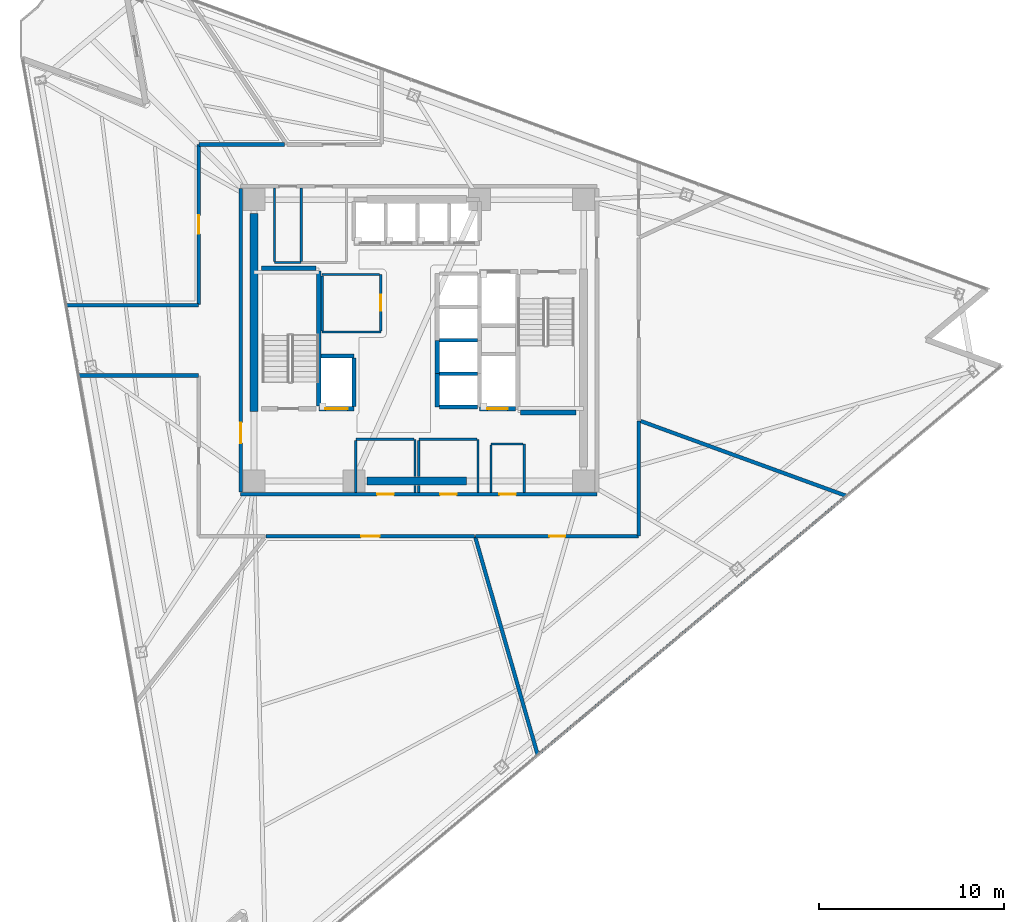
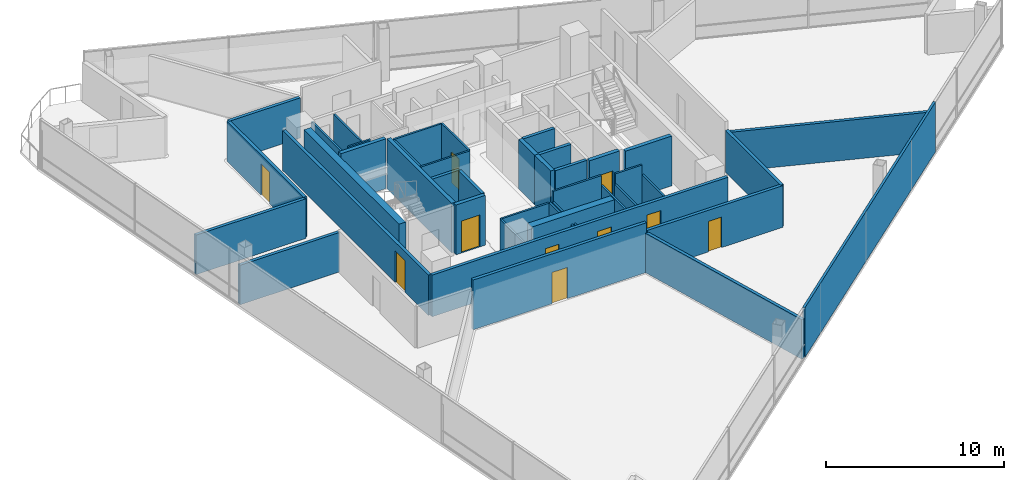
# One storey, part 10 of 16: 44 walls, 10 doors, 10 openings.
"""IFC4 building model written with IfcOpenShell, lengths in metres."""

import ifcopenshell
import ifcopenshell.guid

model = None  # the IFC model being written
_history = None  # IfcOwnerHistory: only IFC2X3 demands one
_inside = {}  # id of a spatial element -> (the spatial element, [elements in it])
_under = {}  # id of a project, library or spatial element -> (it, [spatial elements below it])
_declared = {}  # id of a project -> (the project, [libraries it declares])
_typed = {}  # id of a type object -> (the type object, [elements of that type])
_made_of = {}  # id of a material, layer set ... -> (it, [elements and type objects made of it])


def new_model(schema):
    """Start an empty IFC model of exactly this schema.

    Asked for "IFC4X3", IfcOpenShell would pick the latest addendum, in which some entities
    have other attributes; the version numbers below select the first issue.
    IFC2X3 requires an IfcOwnerHistory on every rooted entity: one is made here for all.
    """
    global model, _history
    if schema == "IFC4X3":
        model = ifcopenshell.file(schema_version=(4, 3, 0, 0))
    else:
        model = ifcopenshell.file(schema=schema)
    _inside.clear()
    _under.clear()
    _declared.clear()
    _typed.clear()
    _made_of.clear()
    _history = None
    if model.schema == "IFC2X3":
        org = make("IfcOrganization", Name="unknown")
        user = make(
            "IfcPersonAndOrganization",
            ThePerson=make("IfcPerson", FamilyName="unknown"),
            TheOrganization=org,
        )
        app = make(
            "IfcApplication",
            ApplicationDeveloper=org,
            Version="unknown",
            ApplicationFullName="unknown",
            ApplicationIdentifier="unknown",
        )
        _history = make(
            "IfcOwnerHistory",
            OwningUser=user,
            OwningApplication=app,
            ChangeAction="ADDED",
            CreationDate=0,
        )
    return model


def make(cls, **values):
    """One entity of the class cls with the attributes given. An attribute that is None is left unset."""
    return model.create_entity(
        cls, **{name: value for name, value in values.items() if value is not None}
    )


def rooted(cls, **values):
    """An entity with a GlobalId (a new one), such as an element, a storey or a relation."""
    return make(cls, GlobalId=ifcopenshell.guid.new(), OwnerHistory=_history, **values)


def si_unit(unit_type, name, prefix=None):
    """IfcSIUnit, for example si_unit("LENGTHUNIT", "METRE", prefix="MILLI")."""
    return make("IfcSIUnit", UnitType=unit_type, Prefix=prefix, Name=name)


def assignment(units):
    """IfcUnitAssignment: the units of a project."""
    return None if units is None else make("IfcUnitAssignment", Units=units)


def point(xyz):
    """IfcCartesianPoint."""
    return None if xyz is None else make("IfcCartesianPoint", Coordinates=xyz)


def direction(xyz):
    """IfcDirection."""
    return None if xyz is None else make("IfcDirection", DirectionRatios=xyz)


def frame(location, z_axis=None, x_axis=None):
    """IfcAxis2Placement3D, a coordinate frame: its origin and axes. An axis left out is left unset."""
    return make(
        "IfcAxis2Placement3D",
        Location=point(location),
        Axis=direction(z_axis),
        RefDirection=direction(x_axis),
    )


def frame_2d(location, x_axis=None):
    """IfcAxis2Placement2D, a coordinate frame in the plane: its origin and x axis."""
    return make(
        "IfcAxis2Placement2D", Location=point(location), RefDirection=direction(x_axis)
    )


def origin():
    """The frame at (0, 0, 0) with its axes left unset."""
    return frame((0.0, 0.0, 0.0))


def place(relative_to, where):
    """IfcLocalPlacement: puts the frame where relative to a parent placement (None: the world)."""
    return make(
        "IfcLocalPlacement", PlacementRelTo=relative_to, RelativePlacement=where
    )


def context(
    kind, dimensions, precision=None, world=None, true_north=None, identifier=None
):
    """IfcGeometricRepresentationContext, for example the 3D "Model" context."""
    return make(
        "IfcGeometricRepresentationContext",
        ContextIdentifier=identifier,
        ContextType=kind,
        CoordinateSpaceDimension=dimensions,
        Precision=precision,
        WorldCoordinateSystem=world,
        TrueNorth=true_north,
    )


def subcontext(parent, identifier, kind, view, scale=None):
    """IfcGeometricRepresentationSubContext, for example "Body" below "Model"."""
    return make(
        "IfcGeometricRepresentationSubContext",
        ContextIdentifier=identifier,
        ContextType=kind,
        ParentContext=parent,
        TargetScale=scale,
        TargetView=view,
    )


def project(units=None, contexts=None):
    """IfcProject with its units and contexts."""
    return rooted(
        "IfcProject",
        Name="project",
        RepresentationContexts=contexts,
        UnitsInContext=assignment(units),
    )


def spatial(cls, under=None, at=None, **own):
    """A site, building, storey or space (cls), placed at a placement, below another one or the project."""
    s = rooted(cls, ObjectPlacement=at, **own)
    if under is not None:
        _under.setdefault(under.id(), (under, []))[1].append(s)
    return s


def profile(cls, at=None, kind="AREA", **sizes):
    """A parametric profile (cls). Its sizes go by their IFC names, for example OverallWidth=200.0."""
    return make(cls, ProfileType=kind, Position=at, **sizes)


def rectangle(**sizes):
    """IfcRectangleProfileDef."""
    return profile("IfcRectangleProfileDef", **sizes)


def extrude(swept, where, along, depth):
    """IfcExtrudedAreaSolid: the profile swept, set in the frame where, extruded along a direction by depth."""
    return make(
        "IfcExtrudedAreaSolid",
        SweptArea=swept,
        Position=where,
        ExtrudedDirection=direction(along),
        Depth=depth,
    )


def shape(context_of_items, identifier, shape_type, items):
    """IfcShapeRepresentation: the items that make up one representation, for example the "Body"."""
    return make(
        "IfcShapeRepresentation",
        ContextOfItems=context_of_items,
        RepresentationIdentifier=identifier,
        RepresentationType=shape_type,
        Items=items,
    )


def material(Name=None, Category=None):
    """IfcMaterial."""
    return make("IfcMaterial", Name=Name, Category=Category)


def layer(
    of_material, thickness, ventilated=None, Name=None, Category=None, Priority=None
):
    """IfcMaterialLayer: one layer of a wall or slab, of a material (None: an air gap)."""
    return make(
        "IfcMaterialLayer",
        Material=of_material,
        LayerThickness=thickness,
        IsVentilated=ventilated,
        Name=Name,
        Category=Category,
        Priority=Priority,
    )


def layer_set(layers, Name=None):
    """IfcMaterialLayerSet."""
    return make("IfcMaterialLayerSet", MaterialLayers=layers, LayerSetName=Name)


def made_of(thing, what):
    """Note that an element or type object is made of a material, layer set ...; save() writes the relation."""
    if what is not None:
        _made_of.setdefault(what.id(), (what, []))[1].append(thing)
    return thing


def type_object(cls, material=None, **own):
    """A type object (cls), such as IfcWallType, which elements share."""
    return made_of(rooted(cls, **own), material)


def element(
    cls,
    number,
    at=None,
    inside=None,
    cuts=None,
    type_object=None,
    material=None,
    context=None,
    identifier="Body",
    shape_type=None,
    held_by="IfcProductDefinitionShape",
    body=None,
    shapes=None,
    **own,
):
    """One element of the class cls, such as IfcWall. Its Tag is "e" and its number.

    at: its placement. inside: the storey or other place that contains it. cuts: it is an
    opening in that element (IfcRelVoidsElement). A single representation is given by context,
    identifier, shape_type and body (its items); several are given by shapes. held_by: the class
    of the entity that holds the representations. save() writes the other relations.
    """
    e = rooted(cls, Tag="e%d" % number, ObjectPlacement=at, **own)
    if body is not None:
        shapes = [shape(context, identifier, shape_type, body)]
    if shapes is not None:
        e.Representation = make(held_by, Representations=shapes)
    if inside is not None:
        _inside.setdefault(inside.id(), (inside, []))[1].append(e)
    if cuts is not None:
        rooted(
            "IfcRelVoidsElement", RelatingBuildingElement=cuts, RelatedOpeningElement=e
        )
    if type_object is not None:
        _typed.setdefault(type_object.id(), (type_object, []))[1].append(e)
    return made_of(e, material)


def fill(opening, filler):
    """IfcRelFillsElement: the door or window that sits in an opening."""
    return rooted(
        "IfcRelFillsElement",
        RelatingOpeningElement=opening,
        RelatedBuildingElement=filler,
    )


def aggregate(whole, parts):
    """IfcRelAggregates: a whole, such as a stair, and the parts it consists of."""
    return rooted("IfcRelAggregates", RelatingObject=whole, RelatedObjects=parts)


def save(model, path):
    """Write the relations noted so far, then the file.

    IfcRelAggregates (storeys below a building ...), IfcRelContainedInSpatialStructure (elements
    in a storey), IfcRelDefinesByType, IfcRelAssociatesMaterial and IfcRelDeclares: one each for
    every whole, place, type object, material and project.
    """
    for whole, parts in _under.values():
        aggregate(whole, parts)
    for where, things in _inside.values():
        rooted(
            "IfcRelContainedInSpatialStructure",
            RelatedElements=things,
            RelatingStructure=where,
        )
    for kind, things in _typed.values():
        rooted("IfcRelDefinesByType", RelatedObjects=things, RelatingType=kind)
    for what, things in _made_of.values():
        rooted("IfcRelAssociatesMaterial", RelatedObjects=things, RelatingMaterial=what)
    for by, libraries in _declared.values():
        rooted("IfcRelDeclares", RelatingContext=by, RelatedDefinitions=libraries)
    model.write(path)


model = new_model("IFC4")

# Units and contexts
model_context = context("Model", 3, precision=1e-05, world=origin(), true_north=direction((0.0, 1.0)))
body_context = subcontext(model_context, "Body", "Model", "MODEL_VIEW")
ifc_project = project(units=[si_unit("LENGTHUNIT", "METRE"), si_unit("AREAUNIT", "SQUARE_METRE"), si_unit("VOLUMEUNIT", "CUBIC_METRE"), si_unit("PLANEANGLEUNIT", "RADIAN"), si_unit("MASSUNIT", "GRAM", prefix="KILO")], contexts=[model_context])

# Site, building, storey
site_placement = place(None, origin())
site = spatial("IfcSite", under=ifc_project, at=site_placement, CompositionType="ELEMENT")
building_placement = place(site_placement, origin())
building = spatial("IfcBuilding", under=site, at=building_placement, Name="Tharavind Bronze Gate", CompositionType="ELEMENT")
storey_placement = place(building_placement, frame((0.0, 0.0, 188.5)))
storey = spatial("IfcBuildingStorey", under=building, at=storey_placement, Name="L48", CompositionType="ELEMENT", Elevation=188.5)

# Wall, openings, doors
ifc_material_1 = material(Name="Aerated Concrete Block", Category="concrete")
ifc_layer_1 = layer(ifc_material_1, 0.199951171875)
ifc_layer_set_1 = layer_set([ifc_layer_1], Name="Aerated Concrete Block")
wall_type_1 = type_object("IfcWallType", Name="FIRE RATED PARTITION 200", PredefinedType="PARTITIONING", material=ifc_layer_set_1)
wall_1_placement = place(storey_placement, frame((-9.6201171875, -8.320068359375, 0.0), z_axis=(0.0, 0.0, 1.0), x_axis=(1.0, 0.0, 0.0)))
wall_1 = element("IfcWall", 1, at=wall_1_placement, inside=storey, type_object=wall_type_1, Name="L48 south core corridor wall", PredefinedType="PARTITIONING", context=body_context, shape_type="SweptSolid", body=[
    extrude(rectangle(XDim=19.240234375, YDim=0.199951171875, at=frame_2d((9.6201171875, 0.0))), origin(), (0.0, 0.0, 1.0), 2.864990234375),
])
opening_1_placement = place(wall_1_placement, frame((7.3701171875, 0.0, 0.0)))
opening_1 = element("IfcOpeningElement", 2, at=opening_1_placement, cuts=wall_1, Name="Opening ID07", PredefinedType="OPENING", context=body_context, shape_type="SweptSolid", body=[
    extrude(rectangle(XDim=0.89990234375, YDim=2.10009765625, at=frame_2d((0.449951171875, 1.050048828125))), frame((0.0, 0.11009765625, 0.0), z_axis=(0.0, -1.0, 0.0), x_axis=(1.0, 0.0, 0.0)), (0.0, 0.0, 1.0), 0.219951171875),
])
opening_2_placement = place(wall_1_placement, frame((10.77001953125, 0.0, 0.0)))
opening_2 = element("IfcOpeningElement", 3, at=opening_2_placement, cuts=wall_1, Name="Opening ID07", PredefinedType="OPENING", context=body_context, shape_type="SweptSolid", body=[
    extrude(rectangle(XDim=0.89990234375, YDim=2.10009765625, at=frame_2d((0.449951171875, 1.050048828125))), frame((0.0, 0.11009765625, 0.0), z_axis=(0.0, -1.0, 0.0), x_axis=(1.0, 0.0, 0.0)), (0.0, 0.0, 1.0), 0.219951171875),
])
opening_3_placement = place(wall_1_placement, frame((13.969970703125, 0.0, 0.0)))
opening_3 = element("IfcOpeningElement", 4, at=opening_3_placement, cuts=wall_1, Name="Opening ID07", PredefinedType="OPENING", context=body_context, shape_type="SweptSolid", body=[
    extrude(rectangle(XDim=0.89990234375, YDim=2.10009765625, at=frame_2d((0.449951171875, 1.050048828125))), frame((0.0, 0.11009765625, 0.0), z_axis=(0.0, -1.0, 0.0), x_axis=(1.0, 0.0, 0.0)), (0.0, 0.0, 1.0), 0.219951171875),
])
ifc_material_2 = material(Name="Galvanised Fire Steel", Category="steel")
door_type_1 = type_object("IfcDoorType", Name="PLANT AND RISER FIRE DOOR 900X2100", OperationType="SINGLE_SWING_LEFT", PredefinedType="DOOR", material=ifc_material_2)
door_1_placement = place(opening_1_placement, frame((0.89990234375, 0.0, 0.0), z_axis=(0.0, 0.0, 1.0), x_axis=(-1.0, 0.0, 0.0)))
door_1 = element("IfcDoor", 5, at=door_1_placement, inside=storey, type_object=door_type_1, Name="L48 Core Archive Store fire door", OperationType="SINGLE_SWING_LEFT", OverallHeight=2.10009765625, OverallWidth=0.89990234375, PredefinedType="DOOR", context=body_context, shape_type="SweptSolid", body=[
    extrude(rectangle(XDim=0.89990234375, YDim=2.10009765625, at=frame_2d((0.449951171875, 1.050048828125))), frame((0.0, 0.02490234375, 0.0), z_axis=(0.0, -1.0, 0.0), x_axis=(1.0, 0.0, 0.0)), (0.0, 0.0, 1.0), 0.050048828125),
])
fill(opening_1, door_1)
door_2_placement = place(opening_2_placement, frame((0.89990234375, 0.0, 0.0), z_axis=(0.0, 0.0, 1.0), x_axis=(-1.0, 0.0, 0.0)))
door_2 = element("IfcDoor", 6, at=door_2_placement, inside=storey, type_object=door_type_1, Name="L48 Core Server Room fire door", OperationType="SINGLE_SWING_LEFT", OverallHeight=2.10009765625, OverallWidth=0.89990234375, PredefinedType="DOOR", context=body_context, shape_type="SweptSolid", body=[
    extrude(rectangle(XDim=0.89990234375, YDim=2.10009765625, at=frame_2d((0.449951171875, 1.050048828125))), frame((0.0, 0.02490234375, 0.0), z_axis=(0.0, -1.0, 0.0), x_axis=(1.0, 0.0, 0.0)), (0.0, 0.0, 1.0), 0.050048828125),
])
fill(opening_2, door_2)
door_3_placement = place(opening_3_placement, frame((0.89990234375, 0.0, 0.0), z_axis=(0.0, 0.0, 1.0), x_axis=(-1.0, 0.0, 0.0)))
door_3 = element("IfcDoor", 7, at=door_3_placement, inside=storey, type_object=door_type_1, Name="L48 Janitor Store Cupboard fire door", OperationType="SINGLE_SWING_LEFT", OverallHeight=2.10009765625, OverallWidth=0.89990234375, PredefinedType="DOOR", context=body_context, shape_type="SweptSolid", body=[
    extrude(rectangle(XDim=0.89990234375, YDim=2.10009765625, at=frame_2d((0.449951171875, 1.050048828125))), frame((0.0, 0.02490234375, 0.0), z_axis=(0.0, -1.0, 0.0), x_axis=(1.0, 0.0, 0.0)), (0.0, 0.0, 1.0), 0.050048828125),
])
fill(opening_3, door_3)

# Wall, opening, door
wall_2_placement = place(storey_placement, frame((-9.6201171875, 8.199951171875, 0.0), z_axis=(0.0, 0.0, 1.0), x_axis=(0.0, -1.0, 0.0)))
wall_2 = element("IfcWall", 8, at=wall_2_placement, inside=storey, type_object=wall_type_1, Name="L48 west core corridor wall", PredefinedType="PARTITIONING", context=body_context, shape_type="SweptSolid", body=[
    extrude(rectangle(XDim=16.39990234375, YDim=0.199951171875, at=frame_2d((8.199951171875, 0.0))), origin(), (0.0, 0.0, 1.0), 2.764892578125),
])
opening_4_placement = place(wall_2_placement, frame((12.64990234375, 0.0, 0.0)))
opening_4 = element("IfcOpeningElement", 9, at=opening_4_placement, cuts=wall_2, Name="Opening ID01", PredefinedType="OPENING", context=body_context, shape_type="SweptSolid", body=[
    extrude(rectangle(XDim=1.10009765625, YDim=2.14990234375, at=frame_2d((0.550048828125, 1.074951171875))), frame((0.0, 0.11009765625, 0.0), z_axis=(0.0, -1.0, 0.0), x_axis=(1.0, 0.0, 0.0)), (0.0, 0.0, 1.0), 0.219951171875),
])
ifc_material_3 = material(Name="Fire-Rated Steel", Category="steel")
door_type_2 = type_object("IfcDoorType", Name="STAIR CORE FIRE DOOR 1100X2150", OperationType="SINGLE_SWING_LEFT", PredefinedType="DOOR", material=ifc_material_3)
door_4_placement = place(opening_4_placement, frame((1.10009765625, 0.0, 0.0), z_axis=(0.0, 0.0, 1.0), x_axis=(-1.0, 0.0, 0.0)))
door_4 = element("IfcDoor", 10, at=door_4_placement, inside=storey, type_object=door_type_2, Name="L48 south west stair lobby fire door", OperationType="SINGLE_SWING_LEFT", OverallHeight=2.14990234375, OverallWidth=1.10009765625, PredefinedType="DOOR", context=body_context, shape_type="SweptSolid", body=[
    extrude(rectangle(XDim=1.10009765625, YDim=2.14990234375, at=frame_2d((0.550048828125, 1.074951171875))), frame((0.0, 0.02490234375, 0.0), z_axis=(0.0, -1.0, 0.0), x_axis=(1.0, 0.0, 0.0)), (0.0, 0.0, 1.0), 0.050048828125),
])
fill(opening_4, door_4)

# Walls
wall_3_placement = place(storey_placement, frame((-18.3828125, -1.89990234375, 0.0), z_axis=(0.0, 0.0, 1.0), x_axis=(1.0, 0.0, 0.0)))
element("IfcWall", 11, at=wall_3_placement, inside=storey, type_object=wall_type_1, Name="L48 Public Restrooms Block partition", PredefinedType="PARTITIONING", context=body_context, shape_type="SweptSolid", body=[
    extrude(rectangle(XDim=6.477783203125, YDim=0.199951171875, at=frame_2d((3.23876953125, 0.0))), origin(), (0.0, 0.0, 1.0), 2.715087890625),
])
wall_4_placement = place(storey_placement, frame((6.419677734375, -22.388427734375, 0.0), z_axis=(0.0, 0.0, 1.0), x_axis=(-0.275623781544, 0.961265588195, 0.0)))
element("IfcWall", 12, at=wall_4_placement, inside=storey, type_object=wall_type_1, Name="L48 Public Restrooms Block partition", PredefinedType="PARTITIONING", context=body_context, shape_type="SweptSolid", body=[
    extrude(rectangle(XDim=12.251220703125, YDim=0.199951171875, at=frame_2d((6.12548828125, 0.0))), origin(), (0.0, 0.0, 1.0), 2.715087890625),
])

# Wall, opening, door
wall_5_placement = place(storey_placement, frame((3.06689453125, -10.580078125, 0.0), z_axis=(0.0, 0.0, 1.0), x_axis=(1.0, 0.0, 0.0)))
wall_5 = element("IfcWall", 13, at=wall_5_placement, inside=storey, type_object=wall_type_1, Name="L48 Public Restrooms Block partition", PredefinedType="PARTITIONING", context=body_context, shape_type="SweptSolid", body=[
    extrude(rectangle(XDim=8.8125, YDim=0.199951171875, at=frame_2d((4.40625, 0.0))), origin(), (0.0, 0.0, 1.0), 2.864990234375),
])
opening_5_placement = place(wall_5_placement, frame((3.98095703125, 0.0, 0.0)))
opening_5 = element("IfcOpeningElement", 14, at=opening_5_placement, cuts=wall_5, Name="Opening ID06", PredefinedType="OPENING", context=body_context, shape_type="SweptSolid", body=[
    extrude(rectangle(XDim=0.85009765625, YDim=2.10009765625, at=frame_2d((0.425048828125, 1.050048828125))), frame((0.0, 0.11009765625, 0.0), z_axis=(0.0, -1.0, 0.0), x_axis=(1.0, 0.0, 0.0)), (0.0, 0.0, 1.0), 0.219951171875),
])
ifc_material_4 = material(Name="Moisture-Resistant Timber", Category="wood")
door_type_3 = type_object("IfcDoorType", Name="BATHROOM PRIVACY DOOR 850X2100", OperationType="SINGLE_SWING_RIGHT", PredefinedType="DOOR", material=ifc_material_4)
door_5_placement = place(opening_5_placement, origin())
door_5 = element("IfcDoor", 15, at=door_5_placement, inside=storey, type_object=door_type_3, Name="L48 Public Restrooms Block door", OperationType="SINGLE_SWING_RIGHT", OverallHeight=2.10009765625, OverallWidth=0.85009765625, PredefinedType="DOOR", context=body_context, shape_type="SweptSolid", body=[
    extrude(rectangle(XDim=0.85009765625, YDim=2.10009765625, at=frame_2d((0.425048828125, 1.050048828125))), frame((0.0, 0.02490234375, 0.0), z_axis=(0.0, -1.0, 0.0), x_axis=(1.0, 0.0, 0.0)), (0.0, 0.0, 1.0), 0.050048828125),
])
fill(opening_5, door_5)

# Walls
wall_6_placement = place(storey_placement, frame((11.8798828125, -10.579345703125, 0.0), z_axis=(0.0, 0.0, 1.0), x_axis=(0.0, 1.0, 0.0)))
element("IfcWall", 16, at=wall_6_placement, inside=storey, type_object=wall_type_1, Name="L48 Public Restrooms Block partition", PredefinedType="PARTITIONING", context=body_context, shape_type="SweptSolid", body=[
    extrude(rectangle(XDim=6.2197265625, YDim=0.199951171875, at=frame_2d((3.10986328125, 0.0))), origin(), (0.0, 0.0, 1.0), 2.864990234375),
])
wall_7_placement = place(storey_placement, frame((11.985107421875, -4.3623046875, 0.0), z_axis=(0.0, 0.0, 1.0), x_axis=(0.939698056563, -0.34200520828, 0.0)))
element("IfcWall", 17, at=wall_7_placement, inside=storey, type_object=wall_type_1, Name="L48 Public Restrooms Block partition", PredefinedType="PARTITIONING", context=body_context, shape_type="SweptSolid", body=[
    extrude(rectangle(XDim=11.814208984375, YDim=0.199951171875, at=frame_2d((5.9072265625, 0.0))), origin(), (0.0, 0.0, 1.0), 2.715087890625),
])
wall_8_placement = place(storey_placement, frame((-7.262939453125, 10.580078125, 0.0), z_axis=(0.0, 0.0, 1.0), x_axis=(-1.0, 0.0, 0.0)))
element("IfcWall", 18, at=wall_8_placement, inside=storey, type_object=wall_type_1, Name="L48 Security Operations Office partition", PredefinedType="PARTITIONING", context=body_context, shape_type="SweptSolid", body=[
    extrude(rectangle(XDim=4.616455078125, YDim=0.199951171875, at=frame_2d((2.30810546875, 0.0))), origin(), (0.0, 0.0, 1.0), 2.764892578125),
])

# Wall, opening, door
wall_9_placement = place(storey_placement, frame((-11.8798828125, 10.579345703125, 0.0), z_axis=(0.0, 0.0, 1.0), x_axis=(0.0, -1.0, 0.0)))
wall_9 = element("IfcWall", 19, at=wall_9_placement, inside=storey, type_object=wall_type_1, Name="L48 Security Operations Office partition", PredefinedType="PARTITIONING", context=body_context, shape_type="SweptSolid", body=[
    extrude(rectangle(XDim=8.654296875, YDim=0.199951171875, at=frame_2d((4.3271484375, 0.0))), origin(), (0.0, 0.0, 1.0), 2.764892578125),
])
opening_6_placement = place(wall_9_placement, frame((3.826904296875, 0.0, 0.0)))
opening_6 = element("IfcOpeningElement", 20, at=opening_6_placement, cuts=wall_9, Name="Opening ID04", PredefinedType="OPENING", context=body_context, shape_type="SweptSolid", body=[
    extrude(rectangle(XDim=1.0, YDim=2.14990234375, at=frame_2d((0.5, 1.074951171875))), frame((0.0, 0.11009765625, 0.0), z_axis=(0.0, -1.0, 0.0), x_axis=(1.0, 0.0, 0.0)), (0.0, 0.0, 1.0), 0.219951171875),
])
ifc_material_5 = material(Name="Bronze Framed Acoustic Timber", Category="wood")
door_type_4 = type_object("IfcDoorType", Name="OFFICE TENANCY DOOR 1000X2150", OperationType="SINGLE_SWING_RIGHT", PredefinedType="DOOR", material=ifc_material_5)
door_6_placement = place(opening_6_placement, origin())
door_6 = element("IfcDoor", 21, at=door_6_placement, inside=storey, type_object=door_type_4, Name="L48 Security Operations Office door", OperationType="SINGLE_SWING_RIGHT", OverallHeight=2.14990234375, OverallWidth=1.0, PredefinedType="DOOR", context=body_context, shape_type="SweptSolid", body=[
    extrude(rectangle(XDim=1.0, YDim=2.14990234375, at=frame_2d((0.5, 1.074951171875))), frame((0.0, 0.02490234375, 0.0), z_axis=(0.0, -1.0, 0.0), x_axis=(1.0, 0.0, 0.0)), (0.0, 0.0, 1.0), 0.050048828125),
])
fill(opening_6, door_6)

# Wall
wall_10_placement = place(storey_placement, frame((-11.905029296875, 1.89990234375, 0.0), z_axis=(0.0, 0.0, 1.0), x_axis=(-1.0, 0.0, 0.0)))
element("IfcWall", 22, at=wall_10_placement, inside=storey, type_object=wall_type_1, Name="L48 Security Operations Office partition", PredefinedType="PARTITIONING", context=body_context, shape_type="SweptSolid", body=[
    extrude(rectangle(XDim=7.14794921875, YDim=0.199951171875, at=frame_2d((3.573974609375, 0.0))), origin(), (0.0, 0.0, 1.0), 2.715087890625),
])

# Wall, opening, door
wall_11_placement = place(storey_placement, frame((-8.25390625, -10.580078125, 0.0), z_axis=(0.0, 0.0, 1.0), x_axis=(1.0, 0.0, 0.0)))
wall_11 = element("IfcWall", 23, at=wall_11_placement, inside=storey, type_object=wall_type_1, Name="L48 Platform Open Office partition", PredefinedType="PARTITIONING", context=body_context, shape_type="SweptSolid", body=[
    extrude(rectangle(XDim=11.268798828125, YDim=0.199951171875, at=frame_2d((5.63427734375, 0.0))), origin(), (0.0, 0.0, 1.0), 3.419921875),
])
opening_7_placement = place(wall_11_placement, frame((5.134033203125, 0.0, 0.0)))
opening_7 = element("IfcOpeningElement", 24, at=opening_7_placement, cuts=wall_11, Name="Opening ID04", PredefinedType="OPENING", context=body_context, shape_type="SweptSolid", body=[
    extrude(rectangle(XDim=1.0, YDim=2.14990234375, at=frame_2d((0.5, 1.074951171875))), frame((0.0, 0.11009765625, 0.0), z_axis=(0.0, -1.0, 0.0), x_axis=(1.0, 0.0, 0.0)), (0.0, 0.0, 1.0), 0.219951171875),
])
door_7_placement = place(opening_7_placement, origin())
door_7 = element("IfcDoor", 25, at=door_7_placement, inside=storey, type_object=door_type_4, Name="L48 Platform Open Office door", OperationType="SINGLE_SWING_RIGHT", OverallHeight=2.14990234375, OverallWidth=1.0, PredefinedType="DOOR", context=body_context, shape_type="SweptSolid", body=[
    extrude(rectangle(XDim=1.0, YDim=2.14990234375, at=frame_2d((0.5, 1.074951171875))), frame((0.0, 0.02490234375, 0.0), z_axis=(0.0, -1.0, 0.0), x_axis=(1.0, 0.0, 0.0)), (0.0, 0.0, 1.0), 0.050048828125),
])
fill(opening_7, door_7)

# Wall
ifc_material_6 = material(Name="Metal Stud Gypsum Partition", Category="gypsum")
ifc_layer_2 = layer(ifc_material_6, 0.1201171875)
ifc_layer_set_2 = layer_set([ifc_layer_2], Name="Metal Stud Gypsum Partition")
wall_type_2 = type_object("IfcWallType", Name="INTERIOR PARTITION WALL 120", PredefinedType="PARTITIONING", material=ifc_layer_set_2)
wall_12_placement = place(storey_placement, frame((-5.219970703125, 0.449951171875, 0.0), z_axis=(0.0, 0.0, 1.0), x_axis=(1.0, 0.0, 0.0)))
element("IfcWall", 26, at=wall_12_placement, inside=storey, type_object=wall_type_2, Name="L48 Electrical & Telecom Store partition 1", PredefinedType="PARTITIONING", context=body_context, shape_type="SweptSolid", body=[
    extrude(rectangle(XDim=3.169921875, YDim=0.1201171875, at=frame_2d((1.5849609375, 0.0))), origin(), (0.0, 0.0, 1.0), 3.419921875),
])

# Wall, opening, door
wall_13_placement = place(storey_placement, frame((-2.050048828125, 0.514892578125, 0.0), z_axis=(0.0, 0.0, 1.0), x_axis=(0.0, 1.0, 0.0)))
wall_13 = element("IfcWall", 27, at=wall_13_placement, inside=storey, type_object=wall_type_2, Name="L48 Electrical & Telecom Store partition 2", PredefinedType="PARTITIONING", context=body_context, shape_type="SweptSolid", body=[
    extrude(rectangle(XDim=3.03515625, YDim=0.1201171875, at=frame_2d((1.517578125, 0.0))), origin(), (0.0, 0.0, 1.0), 3.419921875),
])
opening_8_placement = place(wall_13_placement, frame((1.092041015625, 0.0, 0.0)))
opening_8 = element("IfcOpeningElement", 28, at=opening_8_placement, cuts=wall_13, Name="Opening ID06", PredefinedType="OPENING", context=body_context, shape_type="SweptSolid", body=[
    extrude(rectangle(XDim=0.85009765625, YDim=2.10009765625, at=frame_2d((0.425048828125, 1.050048828125))), frame((0.0, 0.07005859375, 0.0), z_axis=(0.0, -1.0, 0.0), x_axis=(1.0, 0.0, 0.0)), (0.0, 0.0, 1.0), 0.1401171875),
])
door_8_placement = place(opening_8_placement, frame((0.85009765625, 0.0, 0.0), z_axis=(0.0, 0.0, 1.0), x_axis=(-1.0, 0.0, 0.0)))
door_8 = element("IfcDoor", 29, at=door_8_placement, inside=storey, type_object=door_type_3, Name="L48 Electrical & Telecom Store door", OperationType="SINGLE_SWING_RIGHT", OverallHeight=2.10009765625, OverallWidth=0.85009765625, PredefinedType="DOOR", context=body_context, shape_type="SweptSolid", body=[
    extrude(rectangle(XDim=0.85009765625, YDim=2.10009765625, at=frame_2d((0.425048828125, 1.050048828125))), frame((0.0, 0.02490234375, 0.0), z_axis=(0.0, -1.0, 0.0), x_axis=(1.0, 0.0, 0.0)), (0.0, 0.0, 1.0), 0.050048828125),
])
fill(opening_8, door_8)

# Walls
wall_14_placement = place(storey_placement, frame((-2.114990234375, 3.550048828125, 0.0), z_axis=(0.0, 0.0, 1.0), x_axis=(-1.0, 0.0, 0.0)))
element("IfcWall", 30, at=wall_14_placement, inside=storey, type_object=wall_type_2, Name="L48 Electrical & Telecom Store partition 3", PredefinedType="PARTITIONING", context=body_context, shape_type="SweptSolid", body=[
    extrude(rectangle(XDim=3.10498046875, YDim=0.1201171875, at=frame_2d((1.552490234375, 0.0))), origin(), (0.0, 0.0, 1.0), 3.419921875),
])
wall_15_placement = place(storey_placement, frame((-5.219970703125, 3.485107421875, 0.0), z_axis=(0.0, 0.0, 1.0), x_axis=(0.0, -1.0, 0.0)))
element("IfcWall", 31, at=wall_15_placement, inside=storey, type_object=wall_type_2, Name="L48 Electrical & Telecom Store partition 4", PredefinedType="PARTITIONING", context=body_context, shape_type="SweptSolid", body=[
    extrude(rectangle(XDim=2.97021484375, YDim=0.1201171875, at=frame_2d((1.485107421875, 0.0))), origin(), (0.0, 0.0, 1.0), 3.419921875),
])
wall_16_placement = place(storey_placement, frame((-0.199951171875, -8.215087890625, 0.0), z_axis=(0.0, 0.0, 1.0), x_axis=(0.0, 1.0, 0.0)))
element("IfcWall", 32, at=wall_16_placement, inside=storey, type_object=wall_type_2, Name="L48 Core Archive Store partition 2", PredefinedType="PARTITIONING", context=body_context, shape_type="SweptSolid", body=[
    extrude(rectangle(XDim=0.385009765625, YDim=0.1201171875, at=frame_2d((0.1923828125, 0.0))), origin(), (0.0, 0.0, 1.0), 2.715087890625),
])
wall_17_placement = place(storey_placement, frame((-0.199951171875, -7.3701171875, 0.0), z_axis=(0.0, 0.0, 1.0), x_axis=(0.0, 1.0, 0.0)))
element("IfcWall", 33, at=wall_17_placement, inside=storey, type_object=wall_type_2, Name="L48 Core Archive Store partition 2", PredefinedType="PARTITIONING", context=body_context, shape_type="SweptSolid", body=[
    extrude(rectangle(XDim=2.02001953125, YDim=0.1201171875, at=frame_2d((1.010009765625, 0.0))), origin(), (0.0, 0.0, 1.0), 2.715087890625),
])
wall_18_placement = place(storey_placement, frame((-0.264892578125, -5.35009765625, 0.0), z_axis=(0.0, 0.0, 1.0), x_axis=(-1.0, 0.0, 0.0)))
element("IfcWall", 34, at=wall_18_placement, inside=storey, type_object=wall_type_2, Name="L48 Core Archive Store partition 3", PredefinedType="PARTITIONING", context=body_context, shape_type="SweptSolid", body=[
    extrude(rectangle(XDim=3.135009765625, YDim=0.1201171875, at=frame_2d((1.5673828125, 0.0))), origin(), (0.0, 0.0, 1.0), 2.715087890625),
])
wall_19_placement = place(storey_placement, frame((-3.39990234375, -5.4150390625, 0.0), z_axis=(0.0, 0.0, 1.0), x_axis=(0.0, -1.0, 0.0)))
element("IfcWall", 35, at=wall_19_placement, inside=storey, type_object=wall_type_2, Name="L48 Core Archive Store partition 4", PredefinedType="PARTITIONING", context=body_context, shape_type="SweptSolid", body=[
    extrude(rectangle(XDim=2.800048828125, YDim=0.1201171875, at=frame_2d((1.39990234375, 0.0))), origin(), (0.0, 0.0, 1.0), 2.715087890625),
])
wall_20_placement = place(storey_placement, frame((3.199951171875, -8.215087890625, 0.0), z_axis=(0.0, 0.0, 1.0), x_axis=(0.0, 1.0, 0.0)))
element("IfcWall", 36, at=wall_20_placement, inside=storey, type_object=wall_type_2, Name="L48 Core Server Room partition 2", PredefinedType="PARTITIONING", context=body_context, shape_type="SweptSolid", body=[
    extrude(rectangle(XDim=2.864990234375, YDim=0.1201171875, at=frame_2d((1.4326171875, 0.0))), origin(), (0.0, 0.0, 1.0), 2.715087890625),
])
wall_21_placement = place(storey_placement, frame((3.135009765625, -5.35009765625, 0.0), z_axis=(0.0, 0.0, 1.0), x_axis=(-1.0, 0.0, 0.0)))
element("IfcWall", 37, at=wall_21_placement, inside=storey, type_object=wall_type_2, Name="L48 Core Server Room partition 3", PredefinedType="PARTITIONING", context=body_context, shape_type="SweptSolid", body=[
    extrude(rectangle(XDim=3.135009765625, YDim=0.1201171875, at=frame_2d((1.5673828125, 0.0))), origin(), (0.0, 0.0, 1.0), 3.419921875),
])
wall_22_placement = place(storey_placement, frame((0.0, -5.4150390625, 0.0), z_axis=(0.0, 0.0, 1.0), x_axis=(0.0, -1.0, 0.0)))
element("IfcWall", 38, at=wall_22_placement, inside=storey, type_object=wall_type_2, Name="L48 Core Server Room partition 4", PredefinedType="PARTITIONING", context=body_context, shape_type="SweptSolid", body=[
    extrude(rectangle(XDim=1.955078125, YDim=0.1201171875, at=frame_2d((0.9775390625, 0.0))), origin(), (0.0, 0.0, 1.0), 2.715087890625),
])
wall_23_placement = place(storey_placement, frame((0.0, -7.830078125, 0.0), z_axis=(0.0, 0.0, 1.0), x_axis=(0.0, -1.0, 0.0)))
element("IfcWall", 39, at=wall_23_placement, inside=storey, type_object=wall_type_2, Name="L48 Core Server Room partition 4", PredefinedType="PARTITIONING", context=body_context, shape_type="SweptSolid", body=[
    extrude(rectangle(XDim=0.385009765625, YDim=0.1201171875, at=frame_2d((0.1923828125, 0.0))), origin(), (0.0, 0.0, 1.0), 2.715087890625),
])
wall_24_placement = place(storey_placement, frame((-7.800048828125, 4.199951171875, 0.0), z_axis=(0.0, 0.0, 1.0), x_axis=(1.0, 0.0, 0.0)))
element("IfcWall", 40, at=wall_24_placement, inside=storey, type_object=wall_type_2, Name="L48 Battery Backup Cupboard partition 1", PredefinedType="PARTITIONING", context=body_context, shape_type="SweptSolid", body=[
    extrude(rectangle(XDim=1.449951171875, YDim=0.1201171875, at=frame_2d((0.72509765625, 0.0))), origin(), (0.0, 0.0, 1.0), 3.419921875),
])
for number, where, z_axis, x_axis, name in (
    (41, (-6.35009765625, 4.264892578125, 0.0), (0.0, 0.0, 1.0), (0.0, 1.0, 0.0), "L48 Battery Backup Cupboard partition 2"),
    (42, (-7.800048828125, 8.215087890625, 0.0), (0.0, 0.0, 1.0), (0.0, -1.0, 0.0), "L48 Battery Backup Cupboard partition 4"),
):
    element("IfcWall", number, at=place(storey_placement, frame(where, z_axis=z_axis, x_axis=x_axis)), inside=storey, type_object=wall_type_2, Name=name, PredefinedType="PARTITIONING", context=body_context, shape_type="SweptSolid", body=[
        extrude(rectangle(XDim=3.9501953125, YDim=0.1201171875, at=frame_2d((1.97509765625, 0.0))), origin(), (0.0, 0.0, 1.0), 2.715087890625),
    ])
wall_25_placement = place(storey_placement, frame((5.699951171875, -8.215087890625, 0.0), z_axis=(0.0, 0.0, 1.0), x_axis=(0.0, 1.0, 0.0)))
element("IfcWall", 43, at=wall_25_placement, inside=storey, type_object=wall_type_2, Name="L48 Janitor Store Cupboard partition 2", PredefinedType="PARTITIONING", context=body_context, shape_type="SweptSolid", body=[
    extrude(rectangle(XDim=2.614990234375, YDim=0.1201171875, at=frame_2d((1.3076171875, 0.0))), origin(), (0.0, 0.0, 1.0), 2.715087890625),
])
wall_26_placement = place(storey_placement, frame((5.635009765625, -5.60009765625, 0.0), z_axis=(0.0, 0.0, 1.0), x_axis=(-1.0, 0.0, 0.0)))
element("IfcWall", 44, at=wall_26_placement, inside=storey, type_object=wall_type_2, Name="L48 Janitor Store Cupboard partition 3", PredefinedType="PARTITIONING", context=body_context, shape_type="SweptSolid", body=[
    extrude(rectangle(XDim=1.735107421875, YDim=0.1201171875, at=frame_2d((0.86767578125, 0.0))), origin(), (0.0, 0.0, 1.0), 3.419921875),
])
wall_27_placement = place(storey_placement, frame((3.89990234375, -5.6650390625, 0.0), z_axis=(0.0, 0.0, 1.0), x_axis=(0.0, -1.0, 0.0)))
element("IfcWall", 45, at=wall_27_placement, inside=storey, type_object=wall_type_2, Name="L48 Janitor Store Cupboard partition 4", PredefinedType="PARTITIONING", context=body_context, shape_type="SweptSolid", body=[
    extrude(rectangle(XDim=2.550048828125, YDim=0.1201171875, at=frame_2d((1.27490234375, 0.0))), origin(), (0.0, 0.0, 1.0), 2.715087890625),
])
ifc_material_7 = material(Name="Twin Stud Acoustic Gypsum", Category="gypsum")
ifc_layer_3 = layer(ifc_material_7, 0.14990234375)
ifc_layer_set_3 = layer_set([ifc_layer_3], Name="Twin Stud Acoustic Gypsum")
wall_type_3 = type_object("IfcWallType", Name="INTERIOR PARTITION WALL 150", PredefinedType="PARTITIONING", material=ifc_layer_set_3)
wall_28_placement = place(storey_placement, frame((22.994140625, -8.480712890625, 0.0), z_axis=(0.0, 0.0, 1.0), x_axis=(-0.766042878482, -0.642789474343, 0.0)))
element("IfcWall", 46, at=wall_28_placement, inside=storey, type_object=wall_type_3, Name="L48 Public Restrooms Block partition", PredefinedType="PARTITIONING", context=body_context, shape_type="SweptSolid", body=[
    extrude(rectangle(XDim=21.521484375, YDim=0.14990234375, at=frame_2d((10.7607421875, 0.0))), origin(), (0.0, 0.0, 1.0), 3.419921875),
])
ifc_material_8 = material(Name="Concrete C50/60", Category="concrete")
ifc_layer_4 = layer(ifc_material_8, 0.25)
ifc_layer_set_4 = layer_set([ifc_layer_4], Name="Concrete C50/60")
wall_type_4 = type_object("IfcWallType", Name="RC CORE SHEAR WALL 250", PredefinedType="SHEAR", material=ifc_layer_set_4)
wall_29_placement = place(storey_placement, frame((-5.39990234375, -3.550048828125, 0.0), z_axis=(0.0, 0.0, 1.0), x_axis=(0.0, 1.0, 0.0)))
element("IfcWall", 47, at=wall_29_placement, inside=storey, type_object=wall_type_4, Name="L48 ST1 shaft east wall", PredefinedType="SHEAR", context=body_context, shape_type="SweptSolid", body=[
    extrude(rectangle(XDim=7.300048828125, YDim=0.25, at=frame_2d((3.64990234375, 0.0))), origin(), (0.0, 0.0, 1.0), 3.419921875),
])
wall_30_placement = place(storey_placement, frame((-8.5, 3.89990234375, 0.0), z_axis=(0.0, 0.0, 1.0), x_axis=(1.0, 0.0, 0.0)))
element("IfcWall", 48, at=wall_30_placement, inside=storey, type_object=wall_type_4, Name="L48 ST1 shaft north wall", PredefinedType="SHEAR", context=body_context, shape_type="SweptSolid", body=[
    extrude(rectangle(XDim=2.949951171875, YDim=0.25, at=frame_2d((1.47509765625, 0.0))), origin(), (0.0, 0.0, 1.0), 3.419921875),
])
wall_31_placement = place(storey_placement, frame((5.5, -3.89990234375, 0.0), z_axis=(0.0, 0.0, 1.0), x_axis=(1.0, 0.0, 0.0)))
element("IfcWall", 49, at=wall_31_placement, inside=storey, type_object=wall_type_4, Name="L48 ST2 shaft south wall", PredefinedType="SHEAR", context=body_context, shape_type="SweptSolid", body=[
    extrude(rectangle(XDim=3.0, YDim=0.25, at=frame_2d((1.5, 0.0))), origin(), (0.0, 0.0, 1.0), 3.419921875),
])
for number, where, z_axis, x_axis, name in (
    (50, (1.0, -3.60009765625, 0.0), (0.0, 0.0, 1.0), (0.0, 1.0, 0.0), "L48 lift PL9 shaft front wall"),
    (51, (1.0, -1.800048828125, 0.0), (0.0, 0.0, 1.0), (0.0, 1.0, 0.0), "L48 lift PL10 shaft front wall"),
):
    element("IfcWall", number, at=place(storey_placement, frame(where, z_axis=z_axis, x_axis=x_axis)), inside=storey, type_object=wall_type_4, Name=name, PredefinedType="SHEAR", context=body_context, shape_type="SweptSolid", body=[
        extrude(rectangle(XDim=1.800048828125, YDim=0.25, at=frame_2d((0.89990234375, 0.0))), origin(), (0.0, 0.0, 1.0), 3.419921875),
    ])

# Wall, opening, door
wall_32_placement = place(storey_placement, frame((-5.39990234375, -3.699951171875, 0.0), z_axis=(0.0, 0.0, 1.0), x_axis=(1.0, 0.0, 0.0)))
wall_32 = element("IfcWall", 52, at=wall_32_placement, inside=storey, type_object=wall_type_4, Name="L48 lift FFL1 shaft front wall", PredefinedType="SHEAR", context=body_context, shape_type="SweptSolid", body=[
    extrude(rectangle(XDim=1.89990234375, YDim=0.25, at=frame_2d((0.949951171875, 0.0))), origin(), (0.0, 0.0, 1.0), 3.419921875),
])
opening_9_placement = place(wall_32_placement, frame((0.35009765625, 0.0, 0.0)))
opening_9 = element("IfcOpeningElement", 53, at=opening_9_placement, cuts=wall_32, Name="Opening LD02", PredefinedType="OPENING", context=body_context, shape_type="SweptSolid", body=[
    extrude(rectangle(XDim=1.199951171875, YDim=2.199951171875, at=frame_2d((0.60009765625, 1.10009765625))), frame((0.0, 0.135, 0.0), z_axis=(0.0, -1.0, 0.0), x_axis=(1.0, 0.0, 0.0)), (0.0, 0.0, 1.0), 0.27),
])
ifc_material_9 = material(Name="Brushed Stainless Steel", Category="steel")
door_type_5 = type_object("IfcDoorType", Name="FIREFIGHTING LIFT LANDING DOOR 1200X2200", OperationType="SLIDING_TO_RIGHT", PredefinedType="DOOR", material=ifc_material_9)
door_9_placement = place(opening_9_placement, origin())
door_9 = element("IfcDoor", 54, at=door_9_placement, inside=storey, type_object=door_type_5, Name="L48 lift FFL1 sliding landing door", OperationType="SLIDING_TO_RIGHT", OverallHeight=2.199951171875, OverallWidth=1.199951171875, PredefinedType="DOOR", context=body_context, shape_type="SweptSolid", body=[
    extrude(rectangle(XDim=1.199951171875, YDim=2.199951171875, at=frame_2d((0.60009765625, 1.10009765625))), frame((0.0, 0.02490234375, 0.0), z_axis=(0.0, -1.0, 0.0), x_axis=(1.0, 0.0, 0.0)), (0.0, 0.0, 1.0), 0.050048828125),
])
fill(opening_9, door_9)

wall_33_placement = place(storey_placement, frame((3.280029296875, -3.699951171875, 0.0), z_axis=(0.0, 0.0, 1.0), x_axis=(1.0, 0.0, 0.0)))
wall_33 = element("IfcWall", 55, at=wall_33_placement, inside=storey, type_object=wall_type_4, Name="L48 lift SVL1 shaft front wall", PredefinedType="SHEAR", context=body_context, shape_type="SweptSolid", body=[
    extrude(rectangle(XDim=1.93994140625, YDim=0.25, at=frame_2d((0.969970703125, 0.0))), origin(), (0.0, 0.0, 1.0), 3.419921875),
])
opening_10_placement = place(wall_33_placement, frame((0.419921875, 0.0, 0.0)))
opening_10 = element("IfcOpeningElement", 56, at=opening_10_placement, cuts=wall_33, Name="Opening LD01", PredefinedType="OPENING", context=body_context, shape_type="SweptSolid", body=[
    extrude(rectangle(XDim=1.10009765625, YDim=2.199951171875, at=frame_2d((0.550048828125, 1.10009765625))), frame((0.0, 0.135, 0.0), z_axis=(0.0, -1.0, 0.0), x_axis=(1.0, 0.0, 0.0)), (0.0, 0.0, 1.0), 0.27),
])
ifc_material_10 = material(Name="Brushed Bronze Stainless Steel", Category="steel")
door_type_6 = type_object("IfcDoorType", Name="LIFT LANDING SLIDING DOOR 1100X2200", OperationType="SLIDING_TO_LEFT", PredefinedType="DOOR", material=ifc_material_10)
door_10_placement = place(opening_10_placement, origin())
door_10 = element("IfcDoor", 57, at=door_10_placement, inside=storey, type_object=door_type_6, Name="L48 lift SVL1 sliding landing door", OperationType="SLIDING_TO_LEFT", OverallHeight=2.199951171875, OverallWidth=1.10009765625, PredefinedType="DOOR", context=body_context, shape_type="SweptSolid", body=[
    extrude(rectangle(XDim=1.10009765625, YDim=2.199951171875, at=frame_2d((0.550048828125, 1.10009765625))), frame((0.0, 0.02490234375, 0.0), z_axis=(0.0, -1.0, 0.0), x_axis=(1.0, 0.0, 0.0)), (0.0, 0.0, 1.0), 0.050048828125),
])
fill(opening_10, door_10)

# Walls
ifc_material_11 = material(Name="Concrete C60/75", Category="concrete")
ifc_layer_5 = layer(ifc_material_11, 0.449951171875)
ifc_layer_set_5 = layer_set([ifc_layer_5], Name="Concrete C60/75")
wall_type_5 = type_object("IfcWallType", Name="RC CORE SHEAR WALL 450", PredefinedType="SHEAR", material=ifc_layer_set_5)
wall_34_placement = place(storey_placement, frame((-2.800048828125, -7.60009765625, 0.0), z_axis=(0.0, 0.0, 1.0), x_axis=(1.0, 0.0, 0.0)))
element("IfcWall", 58, at=wall_34_placement, inside=storey, type_object=wall_type_5, Name="L48 south core shear wall", PredefinedType="SHEAR", context=body_context, shape_type="SweptSolid", body=[
    extrude(rectangle(XDim=5.380126953125, YDim=0.449951171875, at=frame_2d((2.68994140625, 0.0))), origin(), (0.0, 0.0, 1.0), 3.419921875),
])
wall_35_placement = place(storey_placement, frame((-8.89990234375, -3.85009765625, 0.0), z_axis=(0.0, 0.0, 1.0), x_axis=(0.0, 1.0, 0.0)))
element("IfcWall", 59, at=wall_35_placement, inside=storey, type_object=wall_type_5, Name="L48 west core shear wall", PredefinedType="SHEAR", context=body_context, shape_type="SweptSolid", body=[
    extrude(rectangle(XDim=10.7001953125, YDim=0.449951171875, at=frame_2d((5.35009765625, 0.0))), origin(), (0.0, 0.0, 1.0), 3.419921875),
])
ifc_material_12 = material(Name="Concrete C40/50", Category="concrete")
ifc_layer_6 = layer(ifc_material_12, 0.199951171875)
ifc_layer_set_6 = layer_set([ifc_layer_6], Name="Concrete C40/50")
wall_type_6 = type_object("IfcWallType", Name="SHAFT ENCLOSURE WALL 200", PredefinedType="PARTITIONING", material=ifc_layer_set_6)
for number, where, z_axis, x_axis, name in (
    (60, (1.1298828125, -3.60009765625, 0.0), (0.0, 0.0, 1.0), (1.0, 0.0, 0.0), "L48 lift PL9 shaft S enclosure wall"),
    (61, (1.1298828125, -1.800048828125, 0.0), (0.0, 0.0, 1.0), (1.0, 0.0, 0.0), "L48 lift PL9 shaft N enclosure wall"),
    (62, (1.1298828125, 0.0, 0.0), (0.0, 0.0, 1.0), (1.0, 0.0, 0.0), "L48 lift PL10 shaft N enclosure wall"),
):
    element("IfcWall", number, at=place(storey_placement, frame(where, z_axis=z_axis, x_axis=x_axis)), inside=storey, type_object=wall_type_6, Name=name, PredefinedType="PARTITIONING", context=body_context, shape_type="SweptSolid", body=[
        extrude(rectangle(XDim=2.045166015625, YDim=0.199951171875, at=frame_2d((1.0224609375, 0.0))), origin(), (0.0, 0.0, 1.0), 3.419921875),
    ])
wall_36_placement = place(storey_placement, frame((-5.27001953125, -0.85009765625, 0.0), z_axis=(0.0, 0.0, 1.0), x_axis=(1.0, 0.0, 0.0)))
element("IfcWall", 63, at=wall_36_placement, inside=storey, type_object=wall_type_6, Name="L48 lift FFL1 shaft N enclosure wall", PredefinedType="PARTITIONING", context=body_context, shape_type="SweptSolid", body=[
    extrude(rectangle(XDim=1.77001953125, YDim=0.199951171875, at=frame_2d((0.885009765625, 0.0))), origin(), (0.0, 0.0, 1.0), 3.419921875),
])
wall_37_placement = place(storey_placement, frame((-3.5, -3.570068359375, 0.0), z_axis=(0.0, 0.0, 1.0), x_axis=(0.0, 1.0, 0.0)))
element("IfcWall", 64, at=wall_37_placement, inside=storey, type_object=wall_type_6, Name="L48 lift FFL1 shaft E enclosure wall", PredefinedType="PARTITIONING", context=body_context, shape_type="SweptSolid", body=[
    extrude(rectangle(XDim=2.614990234375, YDim=0.199951171875, at=frame_2d((1.3076171875, 0.0))), origin(), (0.0, 0.0, 1.0), 3.419921875),
])

save(model, "model.ifc")
